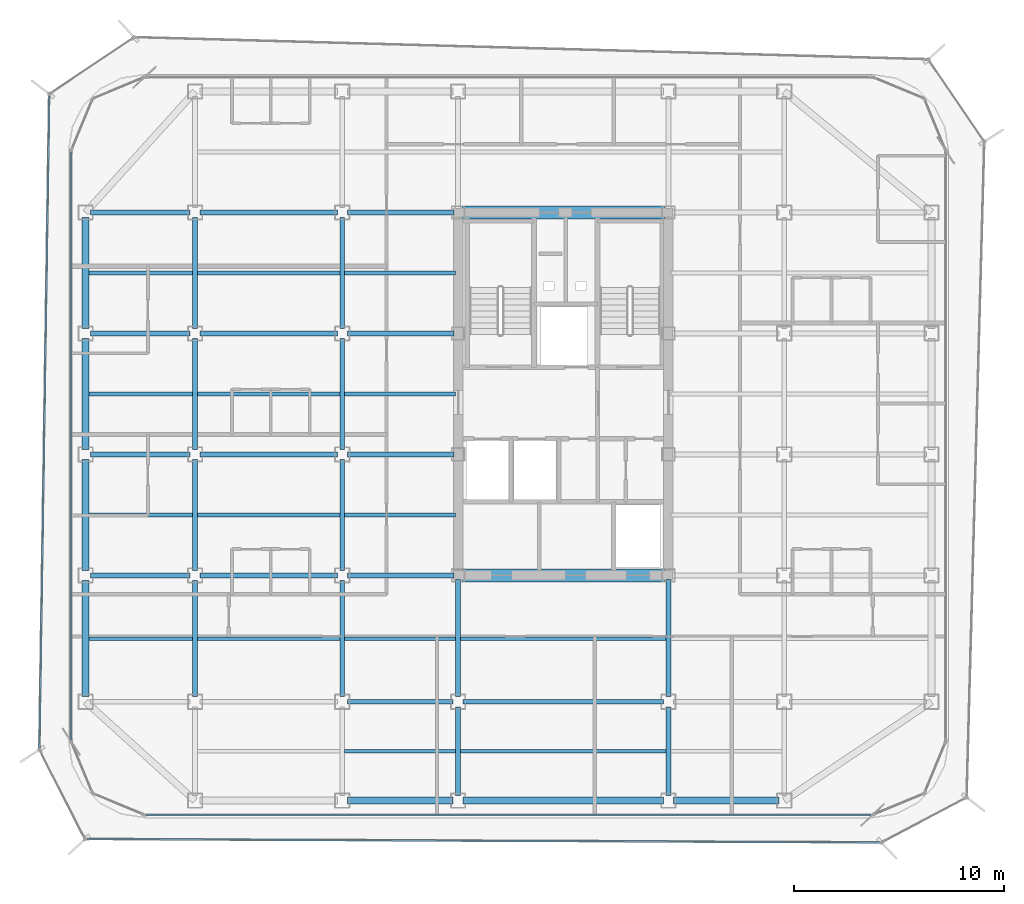
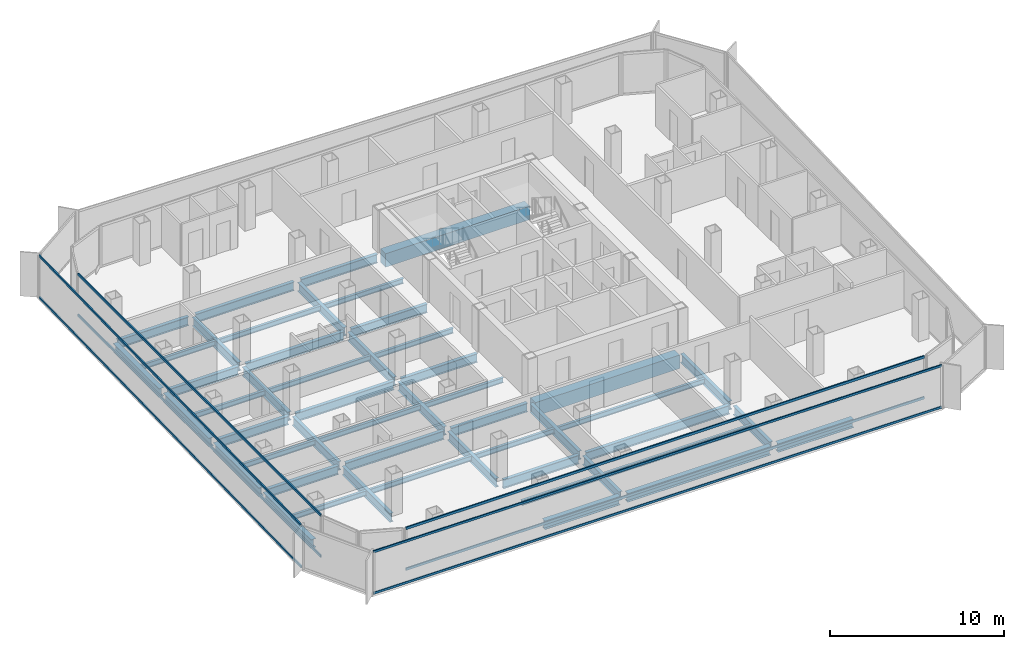
# One storey, part 3 of 15: 50 beams, 8 members, 4 elements without a shape of their own.
"""IFC4 building model written with IfcOpenShell, lengths in metres."""

from ifc_helpers import new_model, si_unit, direction, frame, origin, origin_2d, place, context, subcontext, project, spatial, rectangle, hollow_rectangle, i_section, extrude, source, transform, mapped, material, layer, layer_set, material_profile, profile_set, type_object, element, aggregate, save


model = new_model("IFC4")

# Units and contexts
model_context = context("Model", 3, precision=1e-05, world=origin(), true_north=direction((0.0, 1.0)))
body_context = subcontext(model_context, "Body", "Model", "MODEL_VIEW")
ifc_project = project(units=[si_unit("LENGTHUNIT", "METRE"), si_unit("AREAUNIT", "SQUARE_METRE"), si_unit("VOLUMEUNIT", "CUBIC_METRE"), si_unit("PLANEANGLEUNIT", "RADIAN"), si_unit("MASSUNIT", "GRAM", prefix="KILO")], contexts=[model_context])

# Site, building, storey
site_placement = place(None, origin())
site = spatial("IfcSite", under=ifc_project, at=site_placement, CompositionType="ELEMENT")
building_placement = place(site_placement, origin())
building = spatial("IfcBuilding", under=site, at=building_placement, Name="Kolveth Station Tower", CompositionType="ELEMENT")
storey_placement = place(building_placement, frame((0.0, 0.0, 193.199951171875)))
storey = spatial("IfcBuildingStorey", under=building, at=storey_placement, Name="L54", CompositionType="ELEMENT", Elevation=193.199951171875)

# Beams
ifc_material_1 = material(Name="Steel S355", Category="steel")
ifc_material_profile_1 = material_profile(ifc_material_1, i_section(OverallWidth=0.323974609375, OverallDepth=0.611083984375, WebThickness=0.0126953125, FlangeThickness=0.01904296875, at=origin_2d()), Name="W610x155")
ifc_profile_set_1 = profile_set([ifc_material_profile_1], Name="Steel S355")
beam_type_1 = type_object("IfcBeamType", Name="Beam_SP2", PredefinedType="SPANDREL", material=ifc_profile_set_1)
shared_shape_1 = source(origin(), body_context, "Body", "SweptSolid", [
    extrude(i_section(OverallWidth=0.323974609375, OverallDepth=0.611083984375, WebThickness=0.0126953125, FlangeThickness=0.01904296875, at=origin_2d()), origin(), (0.0, 0.0, 1.0), 5.02001953125),
])
for number, where, z_axis, x_axis, name in (
    (1, (13.239990234375, 0.800048828125, -0.555419921875), (1.0, 0.0, 0.0), (0.0, 1.0, 0.0), "L54 Perimeter Spandrel BM-L54-PS-2"),
    (2, (28.739990234375, 0.800048828125, -0.555419921875), (1.0, 0.0, 0.0), (0.0, 1.0, 0.0), "L54 Perimeter Spandrel BM-L54-PS-4"),
):
    element("IfcBeam", number, at=place(storey_placement, frame(where, z_axis=z_axis, x_axis=x_axis)), inside=storey, type_object=beam_type_1, Name=name, PredefinedType="SPANDREL", context=body_context, shape_type="MappedRepresentation", body=[
        mapped(shared_shape_1, transform((0.0, 0.0, 0.0), x_axis=(1.0, 0.0, 0.0), y_axis=(0.0, 1.0, 0.0), z_axis=(0.0, 0.0, 1.0), scale=1.0)),
    ])
shared_shape_2 = source(origin(), body_context, "Body", "SweptSolid", [
    extrude(i_section(OverallWidth=0.323974609375, OverallDepth=0.611083984375, WebThickness=0.0126953125, FlangeThickness=0.01904296875, at=origin_2d()), origin(), (0.0, 0.0, 1.0), 9.52001953125),
])
beam_1_placement = place(storey_placement, frame((18.739990234375, 0.800048828125, -0.555419921875), z_axis=(1.0, 0.0, 0.0), x_axis=(0.0, 1.0, 0.0)))
element("IfcBeam", 3, at=beam_1_placement, inside=storey, type_object=beam_type_1, Name="L54 Perimeter Spandrel BM-L54-PS-3", PredefinedType="SPANDREL", context=body_context, shape_type="MappedRepresentation", body=[
    mapped(shared_shape_2, transform((0.0, 0.0, 0.0), x_axis=(1.0, 0.0, 0.0), y_axis=(0.0, 1.0, 0.0), z_axis=(0.0, 0.0, 1.0), scale=1.0)),
])
shared_shape_3 = source(origin(), body_context, "Body", "SweptSolid", [
    extrude(i_section(OverallWidth=0.323974609375, OverallDepth=0.611083984375, WebThickness=0.0126953125, FlangeThickness=0.01904296875, at=origin_2d()), origin(), (0.0, 0.0, 1.0), 5.52001953125),
])
beam_2_placement = place(storey_placement, frame((0.800048828125, 5.739990234375, -0.555419921875), z_axis=(0.0, 1.0, 0.0), x_axis=(-1.0, 0.0, 0.0)))
element("IfcBeam", 4, at=beam_2_placement, inside=storey, type_object=beam_type_1, Name="L54 Perimeter Spandrel BM-L54-PW-1", PredefinedType="SPANDREL", context=body_context, shape_type="MappedRepresentation", body=[
    mapped(shared_shape_3, transform((0.0, 0.0, 0.0), x_axis=(1.0, 0.0, 0.0), y_axis=(0.0, 1.0, 0.0), z_axis=(0.0, 0.0, 1.0), scale=1.0)),
])
shared_shape_4 = source(origin(), body_context, "Body", "SweptSolid", [
    extrude(i_section(OverallWidth=0.323974609375, OverallDepth=0.611083984375, WebThickness=0.0126953125, FlangeThickness=0.01904296875, at=origin_2d()), origin(), (0.0, 0.0, 1.0), 5.27001953125),
])
for number, where, z_axis, x_axis, name in (
    (5, (0.800048828125, 11.739990234375, -0.555419921875), (0.0, 1.0, 0.0), (-1.0, 0.0, 0.0), "L54 Perimeter Spandrel BM-L54-PW-2"),
    (6, (0.800048828125, 17.489990234375, -0.555419921875), (0.0, 1.0, 0.0), (-1.0, 0.0, 0.0), "L54 Perimeter Spandrel BM-L54-PW-3"),
    (7, (0.800048828125, 23.239990234375, -0.555419921875), (0.0, 1.0, 0.0), (-1.0, 0.0, 0.0), "L54 Perimeter Spandrel BM-L54-PW-4"),
):
    element("IfcBeam", number, at=place(storey_placement, frame(where, z_axis=z_axis, x_axis=x_axis)), inside=storey, type_object=beam_type_1, Name=name, PredefinedType="SPANDREL", context=body_context, shape_type="MappedRepresentation", body=[
        mapped(shared_shape_4, transform((0.0, 0.0, 0.0), x_axis=(1.0, 0.0, 0.0), y_axis=(0.0, 1.0, 0.0), z_axis=(0.0, 0.0, 1.0), scale=1.0)),
    ])
ifc_material_profile_2 = material_profile(ifc_material_1, i_section(OverallWidth=0.22900390625, OverallDepth=0.612060546875, WebThickness=0.011962890625, FlangeThickness=0.01953125, at=origin_2d()), Name="W610x125")
ifc_profile_set_2 = profile_set([ifc_material_profile_2], Name="Steel S355")
beam_type_2 = type_object("IfcBeamType", Name="Beam_B5", PredefinedType="BEAM", material=ifc_profile_set_2)
shared_shape_5 = source(origin(), body_context, "Body", "SweptSolid", [
    extrude(i_section(OverallWidth=0.22900390625, OverallDepth=0.612060546875, WebThickness=0.011962890625, FlangeThickness=0.01953125, at=origin_2d()), origin(), (0.0, 0.0, 1.0), 4.719970703125),
])
for number, where, z_axis, x_axis, name in (
    (8, (1.0400390625, 11.5, -0.555908203125), (1.0, 0.0, 0.0), (0.0, 1.0, 0.0), "L54 Primary Girder BM-L54-GY115-1"),
    (9, (1.0400390625, 17.25, -0.555908203125), (1.0, 0.0, 0.0), (0.0, 1.0, 0.0), "L54 Primary Girder BM-L54-GY172-1"),
    (10, (1.0400390625, 23.0, -0.555908203125), (1.0, 0.0, 0.0), (0.0, 1.0, 0.0), "L54 Primary Girder BM-L54-GY230-1"),
    (11, (1.0400390625, 28.75, -0.555908203125), (1.0, 0.0, 0.0), (0.0, 1.0, 0.0), "L54 Primary Girder BM-L54-GY287-1"),
):
    element("IfcBeam", number, at=place(storey_placement, frame(where, z_axis=z_axis, x_axis=x_axis)), inside=storey, type_object=beam_type_2, Name=name, PredefinedType="BEAM", context=body_context, shape_type="MappedRepresentation", body=[
        mapped(shared_shape_5, transform((0.0, 0.0, 0.0), x_axis=(1.0, 0.0, 0.0), y_axis=(0.0, 1.0, 0.0), z_axis=(0.0, 0.0, 1.0), scale=1.0)),
    ])
shared_shape_6 = source(origin(), body_context, "Body", "SweptSolid", [
    extrude(i_section(OverallWidth=0.22900390625, OverallDepth=0.612060546875, WebThickness=0.011962890625, FlangeThickness=0.01953125, at=origin_2d()), origin(), (0.0, 0.0, 1.0), 6.52001953125),
])
for number, where, z_axis, x_axis, name in (
    (12, (6.239990234375, 11.5, -0.555908203125), (1.0, 0.0, 0.0), (0.0, 1.0, 0.0), "L54 Primary Girder BM-L54-GY115-2"),
    (13, (6.239990234375, 17.25, -0.555908203125), (1.0, 0.0, 0.0), (0.0, 1.0, 0.0), "L54 Primary Girder BM-L54-GY172-2"),
    (14, (6.239990234375, 23.0, -0.555908203125), (1.0, 0.0, 0.0), (0.0, 1.0, 0.0), "L54 Primary Girder BM-L54-GY230-2"),
    (15, (6.239990234375, 28.75, -0.555908203125), (1.0, 0.0, 0.0), (0.0, 1.0, 0.0), "L54 Primary Girder BM-L54-GY287-2"),
):
    element("IfcBeam", number, at=place(storey_placement, frame(where, z_axis=z_axis, x_axis=x_axis)), inside=storey, type_object=beam_type_2, Name=name, PredefinedType="BEAM", context=body_context, shape_type="MappedRepresentation", body=[
        mapped(shared_shape_6, transform((0.0, 0.0, 0.0), x_axis=(1.0, 0.0, 0.0), y_axis=(0.0, 1.0, 0.0), z_axis=(0.0, 0.0, 1.0), scale=1.0)),
    ])
shared_shape_7 = source(origin(), body_context, "Body", "SweptSolid", [
    extrude(i_section(OverallWidth=0.22900390625, OverallDepth=0.612060546875, WebThickness=0.011962890625, FlangeThickness=0.01953125, at=origin_2d()), origin(), (0.0, 0.0, 1.0), 5.02001953125),
])
beam_3_placement = place(storey_placement, frame((13.239990234375, 5.5, -0.555908203125), z_axis=(1.0, 0.0, 0.0), x_axis=(0.0, 1.0, 0.0)))
element("IfcBeam", 16, at=beam_3_placement, inside=storey, type_object=beam_type_2, Name="L54 Primary Girder BM-L54-GY55-3", PredefinedType="BEAM", context=body_context, shape_type="MappedRepresentation", body=[
    mapped(shared_shape_7, transform((0.0, 0.0, 0.0), x_axis=(1.0, 0.0, 0.0), y_axis=(0.0, 1.0, 0.0), z_axis=(0.0, 0.0, 1.0), scale=1.0)),
])
shared_shape_8 = source(origin(), body_context, "Body", "SweptSolid", [
    extrude(i_section(OverallWidth=0.22900390625, OverallDepth=0.612060546875, WebThickness=0.011962890625, FlangeThickness=0.01953125, at=origin_2d()), origin(), (0.0, 0.0, 1.0), 9.52001953125),
])
beam_4_placement = place(storey_placement, frame((18.739990234375, 5.5, -0.555908203125), z_axis=(1.0, 0.0, 0.0), x_axis=(0.0, 1.0, 0.0)))
element("IfcBeam", 17, at=beam_4_placement, inside=storey, type_object=beam_type_2, Name="L54 Primary Girder BM-L54-GY55-4", PredefinedType="BEAM", context=body_context, shape_type="MappedRepresentation", body=[
    mapped(shared_shape_8, transform((0.0, 0.0, 0.0), x_axis=(1.0, 0.0, 0.0), y_axis=(0.0, 1.0, 0.0), z_axis=(0.0, 0.0, 1.0), scale=1.0)),
])
shared_shape_9 = source(origin(), body_context, "Body", "SweptSolid", [
    extrude(i_section(OverallWidth=0.22900390625, OverallDepth=0.612060546875, WebThickness=0.011962890625, FlangeThickness=0.01953125, at=origin_2d()), origin(), (0.0, 0.0, 1.0), 5.06005859375),
])
for number, where, z_axis, x_axis, name in (
    (18, (13.239990234375, 11.5, -0.555908203125), (1.0, 0.0, 0.0), (0.0, 1.0, 0.0), "L54 Primary Girder BM-L54-GY115-3"),
    (19, (13.239990234375, 17.25, -0.555908203125), (1.0, 0.0, 0.0), (0.0, 1.0, 0.0), "L54 Primary Girder BM-L54-GY172-3"),
    (20, (13.239990234375, 23.0, -0.555908203125), (1.0, 0.0, 0.0), (0.0, 1.0, 0.0), "L54 Primary Girder BM-L54-GY230-3"),
    (21, (13.239990234375, 28.75, -0.555908203125), (1.0, 0.0, 0.0), (0.0, 1.0, 0.0), "L54 Primary Girder BM-L54-GY287-3"),
):
    element("IfcBeam", number, at=place(storey_placement, frame(where, z_axis=z_axis, x_axis=x_axis)), inside=storey, type_object=beam_type_2, Name=name, PredefinedType="BEAM", context=body_context, shape_type="MappedRepresentation", body=[
        mapped(shared_shape_9, transform((0.0, 0.0, 0.0), x_axis=(1.0, 0.0, 0.0), y_axis=(0.0, 1.0, 0.0), z_axis=(0.0, 0.0, 1.0), scale=1.0)),
    ])
ifc_material_2 = material(Name="Concrete C60/75", Category="concrete")
ifc_material_profile_3 = material_profile(ifc_material_2, rectangle(XDim=0.60009765625, YDim=0.949951171875, at=origin_2d()), Name="RC-600x950")
ifc_profile_set_3 = profile_set([ifc_material_profile_3], Name="Concrete C60/75")
beam_type_3 = type_object("IfcBeamType", Name="Beam_CB1", PredefinedType="BEAM", material=ifc_profile_set_3)
shared_shape_10 = source(origin(), body_context, "Body", "SweptSolid", [
    extrude(rectangle(XDim=0.60009765625, YDim=0.949951171875, at=origin_2d()), origin(), (0.0, 0.0, 1.0), 9.60009765625),
])
for number, where, z_axis, x_axis, name in (
    (22, (18.699951171875, 11.5, -0.724853515625), (1.0, 0.0, 0.0), (0.0, 1.0, 0.0), "L54 Core Coupling Beam BM-L54-CB-Y115"),
    (23, (18.699951171875, 28.75, -0.724853515625), (1.0, 0.0, 0.0), (0.0, 1.0, 0.0), "L54 Core Coupling Beam BM-L54-CB-Y287"),
):
    element("IfcBeam", number, at=place(storey_placement, frame(where, z_axis=z_axis, x_axis=x_axis)), inside=storey, type_object=beam_type_3, Name=name, PredefinedType="BEAM", context=body_context, shape_type="MappedRepresentation", body=[
        mapped(shared_shape_10, transform((0.0, 0.0, 0.0), x_axis=(1.0, 0.0, 0.0), y_axis=(0.0, 1.0, 0.0), z_axis=(0.0, 0.0, 1.0), scale=1.0)),
    ])
shared_shape_11 = source(origin(), body_context, "Body", "SweptSolid", [
    extrude(i_section(OverallWidth=0.22900390625, OverallDepth=0.612060546875, WebThickness=0.011962890625, FlangeThickness=0.01953125, at=origin_2d()), origin(), (0.0, 0.0, 1.0), 4.219970703125),
])
for number, where, z_axis, x_axis, name in (
    (24, (18.5, 1.0400390625, -0.555908203125), (0.0, 1.0, 0.0), (-1.0, 0.0, 0.0), "L54 Primary Girder BM-L54-GX185-1"),
    (25, (28.5, 1.0400390625, -0.555908203125), (0.0, 1.0, 0.0), (-1.0, 0.0, 0.0), "L54 Primary Girder BM-L54-GX285-1"),
):
    element("IfcBeam", number, at=place(storey_placement, frame(where, z_axis=z_axis, x_axis=x_axis)), inside=storey, type_object=beam_type_2, Name=name, PredefinedType="BEAM", context=body_context, shape_type="MappedRepresentation", body=[
        mapped(shared_shape_11, transform((0.0, 0.0, 0.0), x_axis=(1.0, 0.0, 0.0), y_axis=(0.0, 1.0, 0.0), z_axis=(0.0, 0.0, 1.0), scale=1.0)),
    ])
shared_shape_12 = source(origin(), body_context, "Body", "SweptSolid", [
    extrude(i_section(OverallWidth=0.22900390625, OverallDepth=0.612060546875, WebThickness=0.011962890625, FlangeThickness=0.01953125, at=origin_2d()), origin(), (0.0, 0.0, 1.0), 5.52001953125),
])
for number, where, z_axis, x_axis, name in (
    (26, (6.0, 5.739990234375, -0.555908203125), (0.0, 1.0, 0.0), (-1.0, 0.0, 0.0), "L54 Primary Girder BM-L54-GX60-2"),
    (27, (13.0, 5.739990234375, -0.555908203125), (0.0, 1.0, 0.0), (-1.0, 0.0, 0.0), "L54 Primary Girder BM-L54-GX130-2"),
):
    element("IfcBeam", number, at=place(storey_placement, frame(where, z_axis=z_axis, x_axis=x_axis)), inside=storey, type_object=beam_type_2, Name=name, PredefinedType="BEAM", context=body_context, shape_type="MappedRepresentation", body=[
        mapped(shared_shape_12, transform((0.0, 0.0, 0.0), x_axis=(1.0, 0.0, 0.0), y_axis=(0.0, 1.0, 0.0), z_axis=(0.0, 0.0, 1.0), scale=1.0)),
    ])
shared_shape_13 = source(origin(), body_context, "Body", "SweptSolid", [
    extrude(i_section(OverallWidth=0.22900390625, OverallDepth=0.612060546875, WebThickness=0.011962890625, FlangeThickness=0.01953125, at=origin_2d()), origin(), (0.0, 0.0, 1.0), 5.27001953125),
])
for number, where, z_axis, x_axis, name in (
    (28, (6.0, 11.739990234375, -0.555908203125), (0.0, 1.0, 0.0), (-1.0, 0.0, 0.0), "L54 Primary Girder BM-L54-GX60-3"),
    (29, (6.0, 17.489990234375, -0.555908203125), (0.0, 1.0, 0.0), (-1.0, 0.0, 0.0), "L54 Primary Girder BM-L54-GX60-4"),
    (30, (6.0, 23.239990234375, -0.555908203125), (0.0, 1.0, 0.0), (-1.0, 0.0, 0.0), "L54 Primary Girder BM-L54-GX60-5"),
    (31, (13.0, 11.739990234375, -0.555908203125), (0.0, 1.0, 0.0), (-1.0, 0.0, 0.0), "L54 Primary Girder BM-L54-GX130-3"),
    (32, (13.0, 17.489990234375, -0.555908203125), (0.0, 1.0, 0.0), (-1.0, 0.0, 0.0), "L54 Primary Girder BM-L54-GX130-4"),
    (33, (13.0, 23.239990234375, -0.555908203125), (0.0, 1.0, 0.0), (-1.0, 0.0, 0.0), "L54 Primary Girder BM-L54-GX130-5"),
):
    element("IfcBeam", number, at=place(storey_placement, frame(where, z_axis=z_axis, x_axis=x_axis)), inside=storey, type_object=beam_type_2, Name=name, PredefinedType="BEAM", context=body_context, shape_type="MappedRepresentation", body=[
        mapped(shared_shape_13, transform((0.0, 0.0, 0.0), x_axis=(1.0, 0.0, 0.0), y_axis=(0.0, 1.0, 0.0), z_axis=(0.0, 0.0, 1.0), scale=1.0)),
    ])
shared_shape_14 = source(origin(), body_context, "Body", "SweptSolid", [
    extrude(i_section(OverallWidth=0.22900390625, OverallDepth=0.612060546875, WebThickness=0.011962890625, FlangeThickness=0.01953125, at=origin_2d()), origin(), (0.0, 0.0, 1.0), 5.56005859375),
])
for number, where, z_axis, x_axis, name in (
    (34, (18.5, 5.739990234375, -0.555908203125), (0.0, 1.0, 0.0), (-1.0, 0.0, 0.0), "L54 Primary Girder BM-L54-GX185-2"),
    (35, (28.5, 5.739990234375, -0.555908203125), (0.0, 1.0, 0.0), (-1.0, 0.0, 0.0), "L54 Primary Girder BM-L54-GX285-2"),
):
    element("IfcBeam", number, at=place(storey_placement, frame(where, z_axis=z_axis, x_axis=x_axis)), inside=storey, type_object=beam_type_2, Name=name, PredefinedType="BEAM", context=body_context, shape_type="MappedRepresentation", body=[
        mapped(shared_shape_14, transform((0.0, 0.0, 0.0), x_axis=(1.0, 0.0, 0.0), y_axis=(0.0, 1.0, 0.0), z_axis=(0.0, 0.0, 1.0), scale=1.0)),
    ])
ifc_material_profile_4 = material_profile(ifc_material_1, i_section(OverallWidth=0.1708984375, OverallDepth=0.35205078125, WebThickness=0.0068359375, FlangeThickness=0.009765625, at=origin_2d()), Name="W360x44")
ifc_profile_set_4 = profile_set([ifc_material_profile_4], Name="Steel S355")
beam_type_4 = type_object("IfcBeamType", Name="Beam_J2", PredefinedType="JOIST", material=ifc_profile_set_4)
shared_shape_15 = source(origin(), body_context, "Body", "SweptSolid", [
    extrude(i_section(OverallWidth=0.1708984375, OverallDepth=0.35205078125, WebThickness=0.0068359375, FlangeThickness=0.009765625, at=origin_2d()), origin(), (0.0, 0.0, 1.0), 4.927490234375),
])
for number, where, z_axis, x_axis, name in (
    (36, (0.9599609375, 8.5, -0.426025390625), (1.0, 0.0, 0.0), (0.0, 1.0, 0.0), "L54 Secondary Joist JST-L54-1-2"),
    (37, (0.9599609375, 14.375, -0.426025390625), (1.0, 0.0, 0.0), (0.0, 1.0, 0.0), "L54 Secondary Joist JST-L54-1-3"),
    (38, (0.9599609375, 20.125, -0.426025390625), (1.0, 0.0, 0.0), (0.0, 1.0, 0.0), "L54 Secondary Joist JST-L54-1-4"),
    (39, (0.9599609375, 25.875, -0.426025390625), (1.0, 0.0, 0.0), (0.0, 1.0, 0.0), "L54 Secondary Joist JST-L54-1-5"),
):
    element("IfcBeam", number, at=place(storey_placement, frame(where, z_axis=z_axis, x_axis=x_axis)), inside=storey, type_object=beam_type_4, Name=name, PredefinedType="JOIST", context=body_context, shape_type="MappedRepresentation", body=[
        mapped(shared_shape_15, transform((0.0, 0.0, 0.0), x_axis=(1.0, 0.0, 0.0), y_axis=(0.0, 1.0, 0.0), z_axis=(0.0, 0.0, 1.0), scale=1.0)),
    ])
shared_shape_16 = source(origin(), body_context, "Body", "SweptSolid", [
    extrude(i_section(OverallWidth=0.1708984375, OverallDepth=0.35205078125, WebThickness=0.0068359375, FlangeThickness=0.009765625, at=origin_2d()), origin(), (0.0, 0.0, 1.0), 6.77490234375),
])
for number, where, z_axis, x_axis, name in (
    (40, (6.112548828125, 8.5, -0.426025390625), (1.0, 0.0, 0.0), (0.0, 1.0, 0.0), "L54 Secondary Joist JST-L54-2-2"),
    (41, (6.112548828125, 14.375, -0.426025390625), (1.0, 0.0, 0.0), (0.0, 1.0, 0.0), "L54 Secondary Joist JST-L54-2-3"),
    (42, (6.112548828125, 20.125, -0.426025390625), (1.0, 0.0, 0.0), (0.0, 1.0, 0.0), "L54 Secondary Joist JST-L54-2-4"),
    (43, (6.112548828125, 25.875, -0.426025390625), (1.0, 0.0, 0.0), (0.0, 1.0, 0.0), "L54 Secondary Joist JST-L54-2-5"),
):
    element("IfcBeam", number, at=place(storey_placement, frame(where, z_axis=z_axis, x_axis=x_axis)), inside=storey, type_object=beam_type_4, Name=name, PredefinedType="JOIST", context=body_context, shape_type="MappedRepresentation", body=[
        mapped(shared_shape_16, transform((0.0, 0.0, 0.0), x_axis=(1.0, 0.0, 0.0), y_axis=(0.0, 1.0, 0.0), z_axis=(0.0, 0.0, 1.0), scale=1.0)),
    ])
shared_shape_17 = source(origin(), body_context, "Body", "SweptSolid", [
    extrude(i_section(OverallWidth=0.1708984375, OverallDepth=0.35205078125, WebThickness=0.0068359375, FlangeThickness=0.009765625, at=origin_2d()), origin(), (0.0, 0.0, 1.0), 5.27490234375),
])
for number, where, z_axis, x_axis, name in (
    (44, (13.112548828125, 3.14990234375, -0.426025390625), (1.0, 0.0, 0.0), (0.0, 1.0, 0.0), "L54 Secondary Joist JST-L54-3-1"),
    (45, (13.112548828125, 8.5, -0.426025390625), (1.0, 0.0, 0.0), (0.0, 1.0, 0.0), "L54 Secondary Joist JST-L54-3-2"),
    (46, (13.112548828125, 14.375, -0.426025390625), (1.0, 0.0, 0.0), (0.0, 1.0, 0.0), "L54 Secondary Joist JST-L54-3-3"),
    (47, (13.112548828125, 20.125, -0.426025390625), (1.0, 0.0, 0.0), (0.0, 1.0, 0.0), "L54 Secondary Joist JST-L54-3-4"),
    (48, (13.112548828125, 25.875, -0.426025390625), (1.0, 0.0, 0.0), (0.0, 1.0, 0.0), "L54 Secondary Joist JST-L54-3-5"),
):
    element("IfcBeam", number, at=place(storey_placement, frame(where, z_axis=z_axis, x_axis=x_axis)), inside=storey, type_object=beam_type_4, Name=name, PredefinedType="JOIST", context=body_context, shape_type="MappedRepresentation", body=[
        mapped(shared_shape_17, transform((0.0, 0.0, 0.0), x_axis=(1.0, 0.0, 0.0), y_axis=(0.0, 1.0, 0.0), z_axis=(0.0, 0.0, 1.0), scale=1.0)),
    ])
shared_shape_18 = source(origin(), body_context, "Body", "SweptSolid", [
    extrude(i_section(OverallWidth=0.1708984375, OverallDepth=0.35205078125, WebThickness=0.0068359375, FlangeThickness=0.009765625, at=origin_2d()), origin(), (0.0, 0.0, 1.0), 9.77490234375),
])
for number, where, z_axis, x_axis, name in (
    (49, (18.612548828125, 3.14990234375, -0.426025390625), (1.0, 0.0, 0.0), (0.0, 1.0, 0.0), "L54 Secondary Joist JST-L54-4-1"),
    (50, (18.612548828125, 8.5, -0.426025390625), (1.0, 0.0, 0.0), (0.0, 1.0, 0.0), "L54 Secondary Joist JST-L54-4-2"),
):
    element("IfcBeam", number, at=place(storey_placement, frame(where, z_axis=z_axis, x_axis=x_axis)), inside=storey, type_object=beam_type_4, Name=name, PredefinedType="JOIST", context=body_context, shape_type="MappedRepresentation", body=[
        mapped(shared_shape_18, transform((0.0, 0.0, 0.0), x_axis=(1.0, 0.0, 0.0), y_axis=(0.0, 1.0, 0.0), z_axis=(0.0, 0.0, 1.0), scale=1.0)),
    ])

# Curtain wall, members
ifc_material_3 = material(Name="Aluminium 6063-T6 and low-E dark glass", Category="aluminium")
ifc_layer_1 = layer(ifc_material_3, 0.18994140625)
ifc_layer_set_1 = layer_set([ifc_layer_1], Name="Aluminium 6063-T6 and low-E dark glass")
curtain_wall_type_1 = type_object("IfcCurtainWallType", Name="CurtainWall_CW-Z2", PredefinedType="NOTDEFINED", material=ifc_layer_set_1)
curtain_wall_1_placement = place(storey_placement, origin())
curtain_wall_1 = element("IfcCurtainWall", 51, at=curtain_wall_1_placement, inside=storey, type_object=curtain_wall_type_1, Name="L54 Inner Thermal Curtain Wall 9", PredefinedType="NOTDEFINED")
ifc_material_4 = material(Name="Black anodized aluminium 6063-T6", Category="aluminium")
ifc_material_profile_5 = material_profile(ifc_material_4, hollow_rectangle(XDim=0.080078125, YDim=0.169921875, WallThickness=0.0048828125, at=origin_2d()), Name="ALU-80x170x5")
ifc_profile_set_5 = profile_set([ifc_material_profile_5], Name="Black anodized aluminium 6063-T6")
member_type_1 = type_object("IfcMemberType", Name="Transom_TR2", PredefinedType="USERDEFINED", material=ifc_profile_set_5)
shared_shape_19 = source(origin(), body_context, "Body", "SweptSolid", [
    extrude(hollow_rectangle(XDim=0.080078125, YDim=0.169921875, WallThickness=0.0048828125, at=origin_2d()), origin(), (0.0, 0.0, 1.0), 27.940185546875),
])
member_1_placement = place(storey_placement, frame((0.1201171875, 31.6201171875, 0.0400390625), z_axis=(0.0, -1.0, 0.0), x_axis=(1.0, 0.0, 0.0)))
member_1 = element("IfcMember", 52, at=member_1_placement, type_object=member_type_1, Name="CW-Z2 transom 1.1", ObjectType="TRANSOM", PredefinedType="USERDEFINED", context=body_context, shape_type="MappedRepresentation", body=[
    mapped(shared_shape_19, transform((0.0, 0.0, 0.0), x_axis=(1.0, 0.0, 0.0), y_axis=(0.0, 1.0, 0.0), z_axis=(0.0, 0.0, 1.0), scale=1.0)),
])
member_2_placement = place(storey_placement, frame((0.1201171875, 31.6201171875, 2.91015625), z_axis=(0.0, -1.0, 0.0), x_axis=(1.0, 0.0, 0.0)))
member_2 = element("IfcMember", 53, at=member_2_placement, type_object=member_type_1, Name="CW-Z2 transom 1.2", ObjectType="TRANSOM", PredefinedType="USERDEFINED", context=body_context, shape_type="MappedRepresentation", body=[
    mapped(shared_shape_19, transform((0.0, 0.0, 0.0), x_axis=(1.0, 0.0, 0.0), y_axis=(0.0, 1.0, 0.0), z_axis=(0.0, 0.0, 1.0), scale=1.0)),
])
aggregate(curtain_wall_1, [member_1, member_2])

curtain_wall_2_placement = place(storey_placement, origin())
curtain_wall_2 = element("IfcCurtainWall", 54, at=curtain_wall_2_placement, inside=storey, type_object=curtain_wall_type_1, Name="L54 Inner Thermal Curtain Wall 12", PredefinedType="NOTDEFINED")
shared_shape_20 = source(origin(), body_context, "Body", "SweptSolid", [
    extrude(hollow_rectangle(XDim=0.080078125, YDim=0.169921875, WallThickness=0.0048828125, at=origin_2d()), origin(), (0.0, 0.0, 1.0), 34.440185546875),
])
member_3_placement = place(storey_placement, frame((3.679931640625, 0.1201171875, 0.0400390625), z_axis=(1.0, 0.0, 0.0), x_axis=(0.0, 1.0, 0.0)))
member_3 = element("IfcMember", 55, at=member_3_placement, type_object=member_type_1, Name="CW-Z2 transom 1.1", ObjectType="TRANSOM", PredefinedType="USERDEFINED", context=body_context, shape_type="MappedRepresentation", body=[
    mapped(shared_shape_20, transform((0.0, 0.0, 0.0), x_axis=(1.0, 0.0, 0.0), y_axis=(0.0, 1.0, 0.0), z_axis=(0.0, 0.0, 1.0), scale=1.0)),
])
member_4_placement = place(storey_placement, frame((3.679931640625, 0.1201171875, 2.91015625), z_axis=(1.0, 0.0, 0.0), x_axis=(0.0, 1.0, 0.0)))
member_4 = element("IfcMember", 56, at=member_4_placement, type_object=member_type_1, Name="CW-Z2 transom 1.2", ObjectType="TRANSOM", PredefinedType="USERDEFINED", context=body_context, shape_type="MappedRepresentation", body=[
    mapped(shared_shape_20, transform((0.0, 0.0, 0.0), x_axis=(1.0, 0.0, 0.0), y_axis=(0.0, 1.0, 0.0), z_axis=(0.0, 0.0, 1.0), scale=1.0)),
])
aggregate(curtain_wall_2, [member_3, member_4])

ifc_material_5 = material(Name="Black anodized aluminium 6063-T6 and dark solar glass", Category="aluminium")
ifc_layer_2 = layer(ifc_material_5, 0.159912109375)
ifc_layer_set_2 = layer_set([ifc_layer_2], Name="Black anodized aluminium 6063-T6 and dark solar glass")
curtain_wall_type_2 = type_object("IfcCurtainWallType", Name="OUTER SKIN CW-OS", PredefinedType="NOTDEFINED", material=ifc_layer_set_2)
curtain_wall_3_placement = place(storey_placement, origin())
curtain_wall_3 = element("IfcCurtainWall", 57, at=curtain_wall_3_placement, inside=storey, type_object=curtain_wall_type_2, Name="L54 Outer Ventilated Skin Curtain Wall 6", PredefinedType="NOTDEFINED")
ifc_material_profile_6 = material_profile(ifc_material_4, hollow_rectangle(XDim=0.080078125, YDim=0.14990234375, WallThickness=0.0048828125, at=origin_2d()), Name="ALU-80x150x5")
ifc_profile_set_6 = profile_set([ifc_material_profile_6], Name="Black anodized aluminium 6063-T6")
member_type_2 = type_object("IfcMemberType", Name="Transom_TR-OS", PredefinedType="USERDEFINED", material=ifc_profile_set_6)
shared_shape_21 = source(origin(), body_context, "Body", "SweptSolid", [
    extrude(hollow_rectangle(XDim=0.080078125, YDim=0.14990234375, WallThickness=0.0048828125, at=origin_2d()), origin(), (0.0, 0.0, 1.0), 30.980224609375),
])
member_5_placement = place(storey_placement, frame((-0.923828125, 34.288818359375, 0.0400390625), z_axis=(-0.015059648702, -0.99988659706, 0.0), x_axis=(0.99988659706, -0.015059648702, 0.0)))
member_5 = element("IfcMember", 58, at=member_5_placement, type_object=member_type_2, Name="CW-OS transom 1.1", ObjectType="TRANSOM", PredefinedType="USERDEFINED", context=body_context, shape_type="MappedRepresentation", body=[
    mapped(shared_shape_21, transform((0.0, 0.0, 0.0), x_axis=(1.0, 0.0, 0.0), y_axis=(0.0, 1.0, 0.0), z_axis=(0.0, 0.0, 1.0), scale=1.0)),
])
member_6_placement = place(storey_placement, frame((-0.923828125, 34.288818359375, 2.949951171875), z_axis=(-0.015059648702, -0.99988659706, 0.0), x_axis=(0.99988659706, -0.015059648702, 0.0)))
member_6 = element("IfcMember", 59, at=member_6_placement, type_object=member_type_2, Name="CW-OS transom 1.2", ObjectType="TRANSOM", PredefinedType="USERDEFINED", context=body_context, shape_type="MappedRepresentation", body=[
    mapped(shared_shape_21, transform((0.0, 0.0, 0.0), x_axis=(1.0, 0.0, 0.0), y_axis=(0.0, 1.0, 0.0), z_axis=(0.0, 0.0, 1.0), scale=1.0)),
])
aggregate(curtain_wall_3, [member_5, member_6])

curtain_wall_4_placement = place(storey_placement, origin())
curtain_wall_4 = element("IfcCurtainWall", 60, at=curtain_wall_4_placement, inside=storey, type_object=curtain_wall_type_2, Name="L54 Outer Ventilated Skin Curtain Wall 8", PredefinedType="NOTDEFINED")
shared_shape_22 = source(origin(), body_context, "Body", "SweptSolid", [
    extrude(hollow_rectangle(XDim=0.080078125, YDim=0.14990234375, WallThickness=0.0048828125, at=origin_2d()), origin(), (0.0, 0.0, 1.0), 37.667236328125),
])
member_7_placement = place(storey_placement, frame((0.864990234375, -1.028564453125, 0.0400390625), z_axis=(0.99999073899, -0.004303711666, 0.0), x_axis=(0.004303711666, 0.99999073899, 0.0)))
member_7 = element("IfcMember", 61, at=member_7_placement, type_object=member_type_2, Name="CW-OS transom 1.1", ObjectType="TRANSOM", PredefinedType="USERDEFINED", context=body_context, shape_type="MappedRepresentation", body=[
    mapped(shared_shape_22, transform((0.0, 0.0, 0.0), x_axis=(1.0, 0.0, 0.0), y_axis=(0.0, 1.0, 0.0), z_axis=(0.0, 0.0, 1.0), scale=1.0)),
])
member_8_placement = place(storey_placement, frame((0.864990234375, -1.028564453125, 2.949951171875), z_axis=(0.99999073899, -0.004303711666, 0.0), x_axis=(0.004303711666, 0.99999073899, 0.0)))
member_8 = element("IfcMember", 62, at=member_8_placement, type_object=member_type_2, Name="CW-OS transom 1.2", ObjectType="TRANSOM", PredefinedType="USERDEFINED", context=body_context, shape_type="MappedRepresentation", body=[
    mapped(shared_shape_22, transform((0.0, 0.0, 0.0), x_axis=(1.0, 0.0, 0.0), y_axis=(0.0, 1.0, 0.0), z_axis=(0.0, 0.0, 1.0), scale=1.0)),
])
aggregate(curtain_wall_4, [member_7, member_8])

save(model, "model.ifc")
